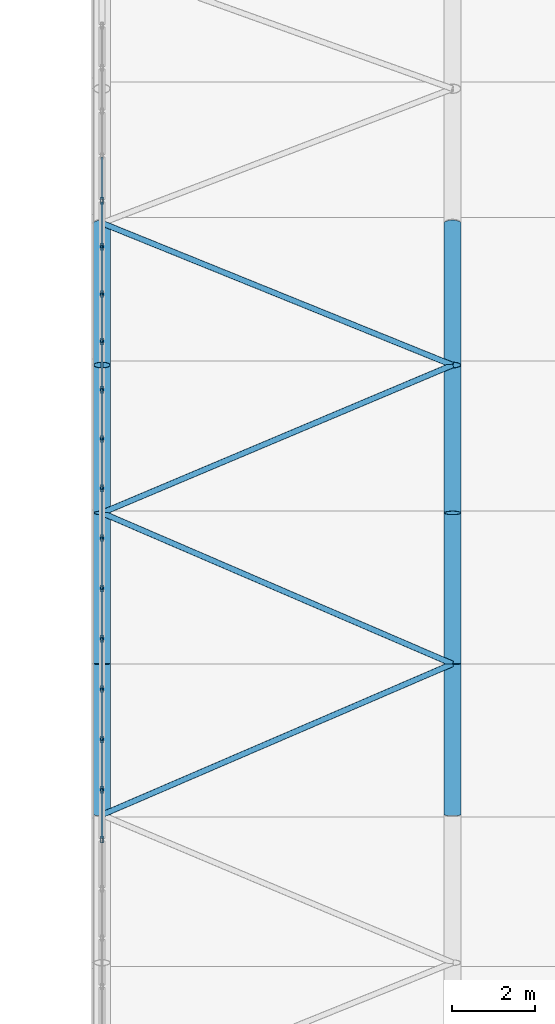
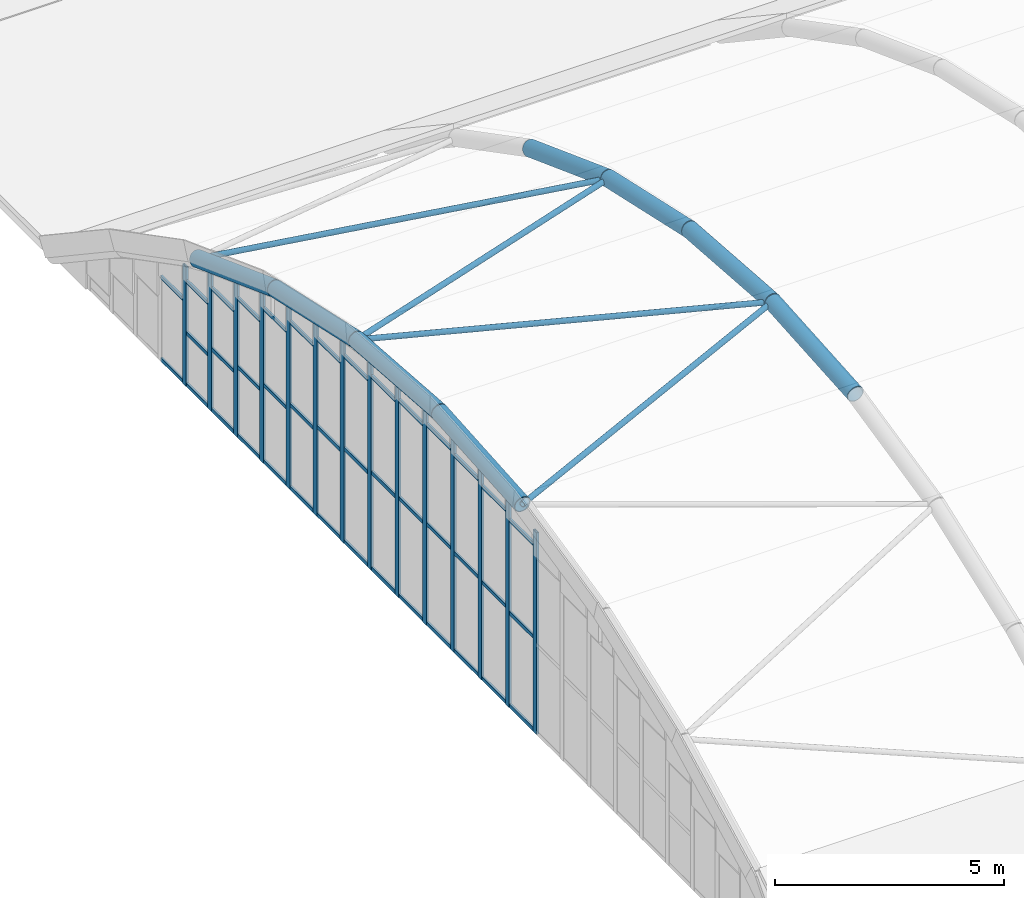
# One storey, part 9 of 77: 67 members, 1 element without a shape of its own.
"""IFC4 building model written with IfcOpenShell, lengths in metres."""

from ifc_helpers import new_model, si_unit, direction, frame, origin, origin_2d, place, context, subcontext, project, spatial, hollow_rectangle, hollow_circle, extrude, material, material_profile, profile_set, type_object, element, aggregate, save


model = new_model("IFC4")

# Units and contexts
model_context = context("Model", 3, precision=1e-05, world=origin(), true_north=direction((0.0, 1.0)))
body_context = subcontext(model_context, "Body", "Model", "MODEL_VIEW")
ifc_project = project(units=[si_unit("LENGTHUNIT", "METRE"), si_unit("AREAUNIT", "SQUARE_METRE"), si_unit("VOLUMEUNIT", "CUBIC_METRE"), si_unit("PLANEANGLEUNIT", "RADIAN"), si_unit("MASSUNIT", "GRAM", prefix="KILO")], contexts=[model_context])

# Site, building, storey
site_placement = place(None, origin())
site = spatial("IfcSite", under=ifc_project, at=site_placement, CompositionType="ELEMENT")
building_placement = place(site_placement, origin())
building = spatial("IfcBuilding", under=site, at=building_placement, Name="Catenary Quay Ferry Terminal", CompositionType="ELEMENT")
storey_placement = place(building_placement, frame((0.0, 0.0, 10.800048828125)))
storey = spatial("IfcBuildingStorey", under=building, at=storey_placement, Name="L02", CompositionType="ELEMENT", Elevation=10.800048828125)

# Members
ifc_material_1 = material(Name="Steel S355", Category="steel")
ifc_material_profile_1 = material_profile(ifc_material_1, hollow_circle(Radius=0.06982421875, WallThickness=0.008056640625, at=origin_2d()), Name="CHS 139.7x8")
ifc_profile_set_1 = profile_set([ifc_material_profile_1], Name="Steel S355")
member_type_1 = type_object("IfcMemberType", Name="BR1 CHS 139.7x8", PredefinedType="BRACE", material=ifc_profile_set_1)
for number, where, z_axis, x_axis, name in (
    (1, (25.199951171875, 80.382080078125, 5.73193359375), (0.918042408193, 0.395398333101, 0.029296671148), (-0.395568126603, 0.918436637562, 0.0), "Roof brace BR-VA-01-05"),
    (2, (33.60009765625, 84.0, 6.0), (-0.918042408193, 0.395398333101, -0.029296671148), (-0.395568126603, -0.918436637562, 0.0), "Roof brace BR-VA-01-06"),
    (3, (25.199951171875, 87.617919921875, 5.73193359375), (0.918022334986, 0.387091813758, -0.085993721791), (-0.388531057549, 0.921435628419, 0.0), "Roof brace BR-VA-01-07"),
):
    element("IfcMember", number, at=place(storey_placement, frame(where, z_axis=z_axis, x_axis=x_axis)), inside=storey, type_object=member_type_1, Name=name, PredefinedType="BRACE", context=body_context, shape_type="SweptSolid", body=[
        extrude(hollow_circle(Radius=0.06982421875, WallThickness=0.008056640625, at=origin_2d()), origin(), (0.0, 0.0, 1.0), 9.150146484375),
    ])
member_1_placement = place(storey_placement, frame((33.60009765625, 91.159912109375, 4.945068359375), z_axis=(-0.918021685377, 0.371803184984, -0.137835324982), x_axis=(-0.375386186218, -0.926868497251, 0.0)))
element("IfcMember", 4, at=member_1_placement, inside=storey, type_object=member_type_1, Name="Roof brace BR-VA-01-08", PredefinedType="BRACE", context=body_context, shape_type="SweptSolid", body=[
    extrude(hollow_circle(Radius=0.06982421875, WallThickness=0.008056640625, at=origin_2d()), origin(), (0.0, 0.0, 1.0), 9.150390625),
])

# Curtain wall, members
ifc_material_2 = material(Name="Aluminium and glass", Category="aluminium")
curtain_wall_type = type_object("IfcCurtainWallType", Name="CWA", PredefinedType="NOTDEFINED", material=ifc_material_2)
curtain_wall_placement = place(storey_placement, origin())
curtain_wall = element("IfcCurtainWall", 5, at=curtain_wall_placement, inside=storey, type_object=curtain_wall_type, Name="Arch arrivals hall curtain wall CW5", PredefinedType="NOTDEFINED")
ifc_material_3 = material(Name="Aluminium", Category="aluminium")
ifc_material_profile_2 = material_profile(ifc_material_3, hollow_rectangle(XDim=0.06005859375, YDim=0.159912109375, WallThickness=0.006103515625, at=origin_2d()), Name="MU5")
ifc_profile_set_2 = profile_set([ifc_material_profile_2], Name="Aluminium")
member_type_2 = type_object("IfcMemberType", Name="MU5", PredefinedType="MULLION", material=ifc_profile_set_2)
member_2_placement = place(storey_placement, frame((25.199951171875, 79.791748046875, 0.0), z_axis=(0.0, 0.0, 1.0), x_axis=(-1.0, 0.0, 0.0)))
member_2 = element("IfcMember", 6, at=member_2_placement, type_object=member_type_2, Name="CW5 mullion 11", PredefinedType="MULLION", context=body_context, shape_type="SweptSolid", body=[
    extrude(hollow_rectangle(XDim=0.06005859375, YDim=0.159912109375, WallThickness=0.006103515625, at=origin_2d()), origin(), (0.0, 0.0, 1.0), 5.380859375),
])
member_3_placement = place(storey_placement, frame((25.199951171875, 80.985107421875, 0.0), z_axis=(0.0, 0.0, 1.0), x_axis=(-1.0, 0.0, 0.0)))
member_3 = element("IfcMember", 7, at=member_3_placement, type_object=member_type_2, Name="CW5 mullion 12", PredefinedType="MULLION", context=body_context, shape_type="SweptSolid", body=[
    extrude(hollow_rectangle(XDim=0.06005859375, YDim=0.159912109375, WallThickness=0.006103515625, at=origin_2d()), origin(), (0.0, 0.0, 1.0), 5.556640625),
])
member_4_placement = place(storey_placement, frame((25.199951171875, 82.19091796875, 0.0), z_axis=(0.0, 0.0, 1.0), x_axis=(-1.0, 0.0, 0.0)))
member_4 = element("IfcMember", 8, at=member_4_placement, type_object=member_type_2, Name="CW5 mullion 13", PredefinedType="MULLION", context=body_context, shape_type="SweptSolid", body=[
    extrude(hollow_rectangle(XDim=0.06005859375, YDim=0.159912109375, WallThickness=0.006103515625, at=origin_2d()), origin(), (0.0, 0.0, 1.0), 5.64599609375),
])
member_5_placement = place(storey_placement, frame((25.199951171875, 83.39697265625, 0.0), z_axis=(0.0, 0.0, 1.0), x_axis=(-1.0, 0.0, 0.0)))
member_5 = element("IfcMember", 9, at=member_5_placement, type_object=member_type_2, Name="CW5 mullion 14", PredefinedType="MULLION", context=body_context, shape_type="SweptSolid", body=[
    extrude(hollow_rectangle(XDim=0.06005859375, YDim=0.159912109375, WallThickness=0.006103515625, at=origin_2d()), origin(), (0.0, 0.0, 1.0), 5.7353515625),
])
member_6_placement = place(storey_placement, frame((25.199951171875, 84.60302734375, 0.0), z_axis=(0.0, 0.0, 1.0), x_axis=(-1.0, 0.0, 0.0)))
member_6 = element("IfcMember", 10, at=member_6_placement, type_object=member_type_2, Name="CW5 mullion 15", PredefinedType="MULLION", context=body_context, shape_type="SweptSolid", body=[
    extrude(hollow_rectangle(XDim=0.06005859375, YDim=0.159912109375, WallThickness=0.006103515625, at=origin_2d()), origin(), (0.0, 0.0, 1.0), 5.7353515625),
])
member_7_placement = place(storey_placement, frame((25.199951171875, 85.80908203125, 0.0), z_axis=(0.0, 0.0, 1.0), x_axis=(-1.0, 0.0, 0.0)))
member_7 = element("IfcMember", 11, at=member_7_placement, type_object=member_type_2, Name="CW5 mullion 16", PredefinedType="MULLION", context=body_context, shape_type="SweptSolid", body=[
    extrude(hollow_rectangle(XDim=0.06005859375, YDim=0.159912109375, WallThickness=0.006103515625, at=origin_2d()), origin(), (0.0, 0.0, 1.0), 5.64599609375),
])
member_8_placement = place(storey_placement, frame((25.199951171875, 87.014892578125, 0.0), z_axis=(0.0, 0.0, 1.0), x_axis=(-1.0, 0.0, 0.0)))
member_8 = element("IfcMember", 12, at=member_8_placement, type_object=member_type_2, Name="CW5 mullion 17", PredefinedType="MULLION", context=body_context, shape_type="SweptSolid", body=[
    extrude(hollow_rectangle(XDim=0.06005859375, YDim=0.159912109375, WallThickness=0.006103515625, at=origin_2d()), origin(), (0.0, 0.0, 1.0), 5.556640625),
])
member_9_placement = place(storey_placement, frame((25.199951171875, 88.208251953125, 0.0), z_axis=(0.0, 0.0, 1.0), x_axis=(-1.0, 0.0, 0.0)))
member_9 = element("IfcMember", 13, at=member_9_placement, type_object=member_type_2, Name="CW5 mullion 18", PredefinedType="MULLION", context=body_context, shape_type="SweptSolid", body=[
    extrude(hollow_rectangle(XDim=0.06005859375, YDim=0.159912109375, WallThickness=0.006103515625, at=origin_2d()), origin(), (0.0, 0.0, 1.0), 5.380859375),
])
member_10_placement = place(storey_placement, frame((25.199951171875, 89.388916015625, 0.0), z_axis=(0.0, 0.0, 1.0), x_axis=(-1.0, 0.0, 0.0)))
member_10 = element("IfcMember", 14, at=member_10_placement, type_object=member_type_2, Name="CW5 mullion 19", PredefinedType="MULLION", context=body_context, shape_type="SweptSolid", body=[
    extrude(hollow_rectangle(XDim=0.06005859375, YDim=0.159912109375, WallThickness=0.006103515625, at=origin_2d()), origin(), (0.0, 0.0, 1.0), 5.118408203125),
])
member_11_placement = place(storey_placement, frame((25.199951171875, 90.569580078125, 0.0), z_axis=(0.0, 0.0, 1.0), x_axis=(-1.0, 0.0, 0.0)))
member_11 = element("IfcMember", 15, at=member_11_placement, type_object=member_type_2, Name="CW5 mullion 20", PredefinedType="MULLION", context=body_context, shape_type="SweptSolid", body=[
    extrude(hollow_rectangle(XDim=0.06005859375, YDim=0.159912109375, WallThickness=0.006103515625, at=origin_2d()), origin(), (0.0, 0.0, 1.0), 4.856201171875),
])
member_12_placement = place(storey_placement, frame((25.199951171875, 91.72705078125, 0.0), z_axis=(0.0, 0.0, 1.0), x_axis=(-1.0, 0.0, 0.0)))
member_12 = element("IfcMember", 16, at=member_12_placement, type_object=member_type_2, Name="CW5 mullion 21", PredefinedType="MULLION", context=body_context, shape_type="SweptSolid", body=[
    extrude(hollow_rectangle(XDim=0.06005859375, YDim=0.159912109375, WallThickness=0.006103515625, at=origin_2d()), origin(), (0.0, 0.0, 1.0), 4.514892578125),
])
member_13_placement = place(storey_placement, frame((25.199951171875, 92.861083984375, 0.0), z_axis=(0.0, 0.0, 1.0), x_axis=(-1.0, 0.0, 0.0)))
member_13 = element("IfcMember", 17, at=member_13_placement, type_object=member_type_2, Name="CW5 mullion 22", PredefinedType="MULLION", context=body_context, shape_type="SweptSolid", body=[
    extrude(hollow_rectangle(XDim=0.06005859375, YDim=0.159912109375, WallThickness=0.006103515625, at=origin_2d()), origin(), (0.0, 0.0, 1.0), 4.094482421875),
])
member_14_placement = place(storey_placement, frame((25.199951171875, 93.9951171875, 0.0), z_axis=(0.0, 0.0, 1.0), x_axis=(-1.0, 0.0, 0.0)))
member_14 = element("IfcMember", 18, at=member_14_placement, type_object=member_type_2, Name="CW5 mullion 23", PredefinedType="MULLION", context=body_context, shape_type="SweptSolid", body=[
    extrude(hollow_rectangle(XDim=0.06005859375, YDim=0.159912109375, WallThickness=0.006103515625, at=origin_2d()), origin(), (0.0, 0.0, 1.0), 3.674072265625),
])
member_15_placement = place(storey_placement, frame((25.199951171875, 95.0986328125, 0.0), z_axis=(0.0, 0.0, 1.0), x_axis=(-1.0, 0.0, 0.0)))
member_15 = element("IfcMember", 19, at=member_15_placement, type_object=member_type_2, Name="CW5 mullion 24", PredefinedType="MULLION", context=body_context, shape_type="SweptSolid", body=[
    extrude(hollow_rectangle(XDim=0.06005859375, YDim=0.159912109375, WallThickness=0.006103515625, at=origin_2d()), origin(), (0.0, 0.0, 1.0), 3.185546875),
])
ifc_material_4 = material(Name="Aluminium", Category="aluminium")
ifc_material_profile_3 = material_profile(ifc_material_4, hollow_rectangle(XDim=0.050048828125, YDim=0.10009765625, WallThickness=0.00390625, at=origin_2d()), Name="TR4")
ifc_profile_set_3 = profile_set([ifc_material_profile_3], Name="Aluminium")
member_type_3 = type_object("IfcMemberType", Name="TR4", PredefinedType="USERDEFINED", material=ifc_profile_set_3)
member_16_placement = place(storey_placement, frame((25.199951171875, 79.82177734375, 0.050048828125), z_axis=(0.0, 1.0, 0.0), x_axis=(-1.0, 0.0, 0.0)))
member_16 = element("IfcMember", 20, at=member_16_placement, type_object=member_type_3, Name="CW5 transom 11.1", ObjectType="TRANSOM", PredefinedType="USERDEFINED", context=body_context, shape_type="SweptSolid", body=[
    extrude(hollow_rectangle(XDim=0.050048828125, YDim=0.10009765625, WallThickness=0.00390625, at=origin_2d()), origin(), (0.0, 0.0, 1.0), 1.13330078125),
])
member_17_placement = place(storey_placement, frame((25.199951171875, 79.82177734375, 2.520263671875), z_axis=(0.0, 1.0, 0.0), x_axis=(-1.0, 0.0, 0.0)))
member_17 = element("IfcMember", 21, at=member_17_placement, type_object=member_type_3, Name="CW5 transom 11.2", ObjectType="TRANSOM", PredefinedType="USERDEFINED", context=body_context, shape_type="SweptSolid", body=[
    extrude(hollow_rectangle(XDim=0.050048828125, YDim=0.10009765625, WallThickness=0.00390625, at=origin_2d()), origin(), (0.0, 0.0, 1.0), 1.13330078125),
])
member_18_placement = place(storey_placement, frame((25.199951171875, 79.82177734375, 4.99072265625), z_axis=(0.0, 1.0, 0.0), x_axis=(-1.0, 0.0, 0.0)))
member_18 = element("IfcMember", 22, at=member_18_placement, type_object=member_type_3, Name="CW5 transom 11.3", ObjectType="TRANSOM", PredefinedType="USERDEFINED", context=body_context, shape_type="SweptSolid", body=[
    extrude(hollow_rectangle(XDim=0.050048828125, YDim=0.10009765625, WallThickness=0.00390625, at=origin_2d()), origin(), (0.0, 0.0, 1.0), 1.13330078125),
])
member_19_placement = place(storey_placement, frame((25.199951171875, 81.014892578125, 0.050048828125), z_axis=(0.0, 1.0, 0.0), x_axis=(-1.0, 0.0, 0.0)))
member_19 = element("IfcMember", 23, at=member_19_placement, type_object=member_type_3, Name="CW5 transom 12.1", ObjectType="TRANSOM", PredefinedType="USERDEFINED", context=body_context, shape_type="SweptSolid", body=[
    extrude(hollow_rectangle(XDim=0.050048828125, YDim=0.10009765625, WallThickness=0.00390625, at=origin_2d()), origin(), (0.0, 0.0, 1.0), 1.14599609375),
])
member_20_placement = place(storey_placement, frame((25.199951171875, 81.014892578125, 2.6083984375), z_axis=(0.0, 1.0, 0.0), x_axis=(-1.0, 0.0, 0.0)))
member_20 = element("IfcMember", 24, at=member_20_placement, type_object=member_type_3, Name="CW5 transom 12.2", ObjectType="TRANSOM", PredefinedType="USERDEFINED", context=body_context, shape_type="SweptSolid", body=[
    extrude(hollow_rectangle(XDim=0.050048828125, YDim=0.10009765625, WallThickness=0.00390625, at=origin_2d()), origin(), (0.0, 0.0, 1.0), 1.14599609375),
])
member_21_placement = place(storey_placement, frame((25.199951171875, 81.014892578125, 5.16650390625), z_axis=(0.0, 1.0, 0.0), x_axis=(-1.0, 0.0, 0.0)))
member_21 = element("IfcMember", 25, at=member_21_placement, type_object=member_type_3, Name="CW5 transom 12.3", ObjectType="TRANSOM", PredefinedType="USERDEFINED", context=body_context, shape_type="SweptSolid", body=[
    extrude(hollow_rectangle(XDim=0.050048828125, YDim=0.10009765625, WallThickness=0.00390625, at=origin_2d()), origin(), (0.0, 0.0, 1.0), 1.14599609375),
])
member_22_placement = place(storey_placement, frame((25.199951171875, 82.220947265625, 0.050048828125), z_axis=(0.0, 1.0, 0.0), x_axis=(-1.0, 0.0, 0.0)))
member_22 = element("IfcMember", 26, at=member_22_placement, type_object=member_type_3, Name="CW5 transom 13.1", ObjectType="TRANSOM", PredefinedType="USERDEFINED", context=body_context, shape_type="SweptSolid", body=[
    extrude(hollow_rectangle(XDim=0.050048828125, YDim=0.10009765625, WallThickness=0.00390625, at=origin_2d()), origin(), (0.0, 0.0, 1.0), 1.14599609375),
])
member_23_placement = place(storey_placement, frame((25.199951171875, 82.220947265625, 2.65283203125), z_axis=(0.0, 1.0, 0.0), x_axis=(-1.0, 0.0, 0.0)))
member_23 = element("IfcMember", 27, at=member_23_placement, type_object=member_type_3, Name="CW5 transom 13.2", ObjectType="TRANSOM", PredefinedType="USERDEFINED", context=body_context, shape_type="SweptSolid", body=[
    extrude(hollow_rectangle(XDim=0.050048828125, YDim=0.10009765625, WallThickness=0.00390625, at=origin_2d()), origin(), (0.0, 0.0, 1.0), 1.14599609375),
])
member_24_placement = place(storey_placement, frame((25.199951171875, 82.220947265625, 5.255859375), z_axis=(0.0, 1.0, 0.0), x_axis=(-1.0, 0.0, 0.0)))
member_24 = element("IfcMember", 28, at=member_24_placement, type_object=member_type_3, Name="CW5 transom 13.3", ObjectType="TRANSOM", PredefinedType="USERDEFINED", context=body_context, shape_type="SweptSolid", body=[
    extrude(hollow_rectangle(XDim=0.050048828125, YDim=0.10009765625, WallThickness=0.00390625, at=origin_2d()), origin(), (0.0, 0.0, 1.0), 1.14599609375),
])
member_25_placement = place(storey_placement, frame((25.199951171875, 83.427001953125, 0.050048828125), z_axis=(0.0, 1.0, 0.0), x_axis=(-1.0, 0.0, 0.0)))
member_25 = element("IfcMember", 29, at=member_25_placement, type_object=member_type_3, Name="CW5 transom 14.1", ObjectType="TRANSOM", PredefinedType="USERDEFINED", context=body_context, shape_type="SweptSolid", body=[
    extrude(hollow_rectangle(XDim=0.050048828125, YDim=0.10009765625, WallThickness=0.00390625, at=origin_2d()), origin(), (0.0, 0.0, 1.0), 1.14599609375),
])
member_26_placement = place(storey_placement, frame((25.199951171875, 83.427001953125, 2.697509765625), z_axis=(0.0, 1.0, 0.0), x_axis=(-1.0, 0.0, 0.0)))
member_26 = element("IfcMember", 30, at=member_26_placement, type_object=member_type_3, Name="CW5 transom 14.2", ObjectType="TRANSOM", PredefinedType="USERDEFINED", context=body_context, shape_type="SweptSolid", body=[
    extrude(hollow_rectangle(XDim=0.050048828125, YDim=0.10009765625, WallThickness=0.00390625, at=origin_2d()), origin(), (0.0, 0.0, 1.0), 1.14599609375),
])
member_27_placement = place(storey_placement, frame((25.199951171875, 83.427001953125, 5.34521484375), z_axis=(0.0, 1.0, 0.0), x_axis=(-1.0, 0.0, 0.0)))
member_27 = element("IfcMember", 31, at=member_27_placement, type_object=member_type_3, Name="CW5 transom 14.3", ObjectType="TRANSOM", PredefinedType="USERDEFINED", context=body_context, shape_type="SweptSolid", body=[
    extrude(hollow_rectangle(XDim=0.050048828125, YDim=0.10009765625, WallThickness=0.00390625, at=origin_2d()), origin(), (0.0, 0.0, 1.0), 1.14599609375),
])
member_28_placement = place(storey_placement, frame((25.199951171875, 84.633056640625, 0.050048828125), z_axis=(0.0, 1.0, 0.0), x_axis=(-1.0, 0.0, 0.0)))
member_28 = element("IfcMember", 32, at=member_28_placement, type_object=member_type_3, Name="CW5 transom 15.1", ObjectType="TRANSOM", PredefinedType="USERDEFINED", context=body_context, shape_type="SweptSolid", body=[
    extrude(hollow_rectangle(XDim=0.050048828125, YDim=0.10009765625, WallThickness=0.00390625, at=origin_2d()), origin(), (0.0, 0.0, 1.0), 1.14599609375),
])
member_29_placement = place(storey_placement, frame((25.199951171875, 84.633056640625, 2.65283203125), z_axis=(0.0, 1.0, 0.0), x_axis=(-1.0, 0.0, 0.0)))
member_29 = element("IfcMember", 33, at=member_29_placement, type_object=member_type_3, Name="CW5 transom 15.2", ObjectType="TRANSOM", PredefinedType="USERDEFINED", context=body_context, shape_type="SweptSolid", body=[
    extrude(hollow_rectangle(XDim=0.050048828125, YDim=0.10009765625, WallThickness=0.00390625, at=origin_2d()), origin(), (0.0, 0.0, 1.0), 1.14599609375),
])
member_30_placement = place(storey_placement, frame((25.199951171875, 84.633056640625, 5.255859375), z_axis=(0.0, 1.0, 0.0), x_axis=(-1.0, 0.0, 0.0)))
member_30 = element("IfcMember", 34, at=member_30_placement, type_object=member_type_3, Name="CW5 transom 15.3", ObjectType="TRANSOM", PredefinedType="USERDEFINED", context=body_context, shape_type="SweptSolid", body=[
    extrude(hollow_rectangle(XDim=0.050048828125, YDim=0.10009765625, WallThickness=0.00390625, at=origin_2d()), origin(), (0.0, 0.0, 1.0), 1.14599609375),
])
member_31_placement = place(storey_placement, frame((25.199951171875, 85.839111328125, 0.050048828125), z_axis=(0.0, 1.0, 0.0), x_axis=(-1.0, 0.0, 0.0)))
member_31 = element("IfcMember", 35, at=member_31_placement, type_object=member_type_3, Name="CW5 transom 16.1", ObjectType="TRANSOM", PredefinedType="USERDEFINED", context=body_context, shape_type="SweptSolid", body=[
    extrude(hollow_rectangle(XDim=0.050048828125, YDim=0.10009765625, WallThickness=0.00390625, at=origin_2d()), origin(), (0.0, 0.0, 1.0), 1.14599609375),
])
member_32_placement = place(storey_placement, frame((25.199951171875, 85.839111328125, 2.6083984375), z_axis=(0.0, 1.0, 0.0), x_axis=(-1.0, 0.0, 0.0)))
member_32 = element("IfcMember", 36, at=member_32_placement, type_object=member_type_3, Name="CW5 transom 16.2", ObjectType="TRANSOM", PredefinedType="USERDEFINED", context=body_context, shape_type="SweptSolid", body=[
    extrude(hollow_rectangle(XDim=0.050048828125, YDim=0.10009765625, WallThickness=0.00390625, at=origin_2d()), origin(), (0.0, 0.0, 1.0), 1.14599609375),
])
member_33_placement = place(storey_placement, frame((25.199951171875, 85.839111328125, 5.16650390625), z_axis=(0.0, 1.0, 0.0), x_axis=(-1.0, 0.0, 0.0)))
member_33 = element("IfcMember", 37, at=member_33_placement, type_object=member_type_3, Name="CW5 transom 16.3", ObjectType="TRANSOM", PredefinedType="USERDEFINED", context=body_context, shape_type="SweptSolid", body=[
    extrude(hollow_rectangle(XDim=0.050048828125, YDim=0.10009765625, WallThickness=0.00390625, at=origin_2d()), origin(), (0.0, 0.0, 1.0), 1.14599609375),
])
member_34_placement = place(storey_placement, frame((25.199951171875, 87.044921875, 0.050048828125), z_axis=(0.0, 1.0, 0.0), x_axis=(-1.0, 0.0, 0.0)))
member_34 = element("IfcMember", 38, at=member_34_placement, type_object=member_type_3, Name="CW5 transom 17.1", ObjectType="TRANSOM", PredefinedType="USERDEFINED", context=body_context, shape_type="SweptSolid", body=[
    extrude(hollow_rectangle(XDim=0.050048828125, YDim=0.10009765625, WallThickness=0.00390625, at=origin_2d()), origin(), (0.0, 0.0, 1.0), 1.13330078125),
])
member_35_placement = place(storey_placement, frame((25.199951171875, 87.044921875, 2.520263671875), z_axis=(0.0, 1.0, 0.0), x_axis=(-1.0, 0.0, 0.0)))
member_35 = element("IfcMember", 39, at=member_35_placement, type_object=member_type_3, Name="CW5 transom 17.2", ObjectType="TRANSOM", PredefinedType="USERDEFINED", context=body_context, shape_type="SweptSolid", body=[
    extrude(hollow_rectangle(XDim=0.050048828125, YDim=0.10009765625, WallThickness=0.00390625, at=origin_2d()), origin(), (0.0, 0.0, 1.0), 1.13330078125),
])
member_36_placement = place(storey_placement, frame((25.199951171875, 87.044921875, 4.99072265625), z_axis=(0.0, 1.0, 0.0), x_axis=(-1.0, 0.0, 0.0)))
member_36 = element("IfcMember", 40, at=member_36_placement, type_object=member_type_3, Name="CW5 transom 17.3", ObjectType="TRANSOM", PredefinedType="USERDEFINED", context=body_context, shape_type="SweptSolid", body=[
    extrude(hollow_rectangle(XDim=0.050048828125, YDim=0.10009765625, WallThickness=0.00390625, at=origin_2d()), origin(), (0.0, 0.0, 1.0), 1.13330078125),
])
member_37_placement = place(storey_placement, frame((25.199951171875, 88.23828125, 0.050048828125), z_axis=(0.0, 1.0, 0.0), x_axis=(-1.0, 0.0, 0.0)))
member_37 = element("IfcMember", 41, at=member_37_placement, type_object=member_type_3, Name="CW5 transom 18.1", ObjectType="TRANSOM", PredefinedType="USERDEFINED", context=body_context, shape_type="SweptSolid", body=[
    extrude(hollow_rectangle(XDim=0.050048828125, YDim=0.10009765625, WallThickness=0.00390625, at=origin_2d()), origin(), (0.0, 0.0, 1.0), 1.12060546875),
])
member_38_placement = place(storey_placement, frame((25.199951171875, 88.23828125, 2.38916015625), z_axis=(0.0, 1.0, 0.0), x_axis=(-1.0, 0.0, 0.0)))
member_38 = element("IfcMember", 42, at=member_38_placement, type_object=member_type_3, Name="CW5 transom 18.2", ObjectType="TRANSOM", PredefinedType="USERDEFINED", context=body_context, shape_type="SweptSolid", body=[
    extrude(hollow_rectangle(XDim=0.050048828125, YDim=0.10009765625, WallThickness=0.00390625, at=origin_2d()), origin(), (0.0, 0.0, 1.0), 1.12060546875),
])
member_39_placement = place(storey_placement, frame((25.199951171875, 88.23828125, 4.728515625), z_axis=(0.0, 1.0, 0.0), x_axis=(-1.0, 0.0, 0.0)))
member_39 = element("IfcMember", 43, at=member_39_placement, type_object=member_type_3, Name="CW5 transom 18.3", ObjectType="TRANSOM", PredefinedType="USERDEFINED", context=body_context, shape_type="SweptSolid", body=[
    extrude(hollow_rectangle(XDim=0.050048828125, YDim=0.10009765625, WallThickness=0.00390625, at=origin_2d()), origin(), (0.0, 0.0, 1.0), 1.12060546875),
])
member_40_placement = place(storey_placement, frame((25.199951171875, 89.4189453125, 0.050048828125), z_axis=(0.0, 1.0, 0.0), x_axis=(-1.0, 0.0, 0.0)))
member_40 = element("IfcMember", 44, at=member_40_placement, type_object=member_type_3, Name="CW5 transom 19.1", ObjectType="TRANSOM", PredefinedType="USERDEFINED", context=body_context, shape_type="SweptSolid", body=[
    extrude(hollow_rectangle(XDim=0.050048828125, YDim=0.10009765625, WallThickness=0.00390625, at=origin_2d()), origin(), (0.0, 0.0, 1.0), 1.12060546875),
])
member_41_placement = place(storey_placement, frame((25.199951171875, 89.4189453125, 2.258056640625), z_axis=(0.0, 1.0, 0.0), x_axis=(-1.0, 0.0, 0.0)))
member_41 = element("IfcMember", 45, at=member_41_placement, type_object=member_type_3, Name="CW5 transom 19.2", ObjectType="TRANSOM", PredefinedType="USERDEFINED", context=body_context, shape_type="SweptSolid", body=[
    extrude(hollow_rectangle(XDim=0.050048828125, YDim=0.10009765625, WallThickness=0.00390625, at=origin_2d()), origin(), (0.0, 0.0, 1.0), 1.12060546875),
])
member_42_placement = place(storey_placement, frame((25.199951171875, 89.4189453125, 4.466064453125), z_axis=(0.0, 1.0, 0.0), x_axis=(-1.0, 0.0, 0.0)))
member_42 = element("IfcMember", 46, at=member_42_placement, type_object=member_type_3, Name="CW5 transom 19.3", ObjectType="TRANSOM", PredefinedType="USERDEFINED", context=body_context, shape_type="SweptSolid", body=[
    extrude(hollow_rectangle(XDim=0.050048828125, YDim=0.10009765625, WallThickness=0.00390625, at=origin_2d()), origin(), (0.0, 0.0, 1.0), 1.12060546875),
])
member_43_placement = place(storey_placement, frame((25.199951171875, 90.599609375, 0.050048828125), z_axis=(0.0, 1.0, 0.0), x_axis=(-1.0, 0.0, 0.0)))
member_43 = element("IfcMember", 47, at=member_43_placement, type_object=member_type_3, Name="CW5 transom 20.1", ObjectType="TRANSOM", PredefinedType="USERDEFINED", context=body_context, shape_type="SweptSolid", body=[
    extrude(hollow_rectangle(XDim=0.050048828125, YDim=0.10009765625, WallThickness=0.00390625, at=origin_2d()), origin(), (0.0, 0.0, 1.0), 1.097412109375),
])
member_44_placement = place(storey_placement, frame((25.199951171875, 90.599609375, 2.08740234375), z_axis=(0.0, 1.0, 0.0), x_axis=(-1.0, 0.0, 0.0)))
member_44 = element("IfcMember", 48, at=member_44_placement, type_object=member_type_3, Name="CW5 transom 20.2", ObjectType="TRANSOM", PredefinedType="USERDEFINED", context=body_context, shape_type="SweptSolid", body=[
    extrude(hollow_rectangle(XDim=0.050048828125, YDim=0.10009765625, WallThickness=0.00390625, at=origin_2d()), origin(), (0.0, 0.0, 1.0), 1.097412109375),
])
member_45_placement = place(storey_placement, frame((25.199951171875, 90.599609375, 4.124755859375), z_axis=(0.0, 1.0, 0.0), x_axis=(-1.0, 0.0, 0.0)))
member_45 = element("IfcMember", 49, at=member_45_placement, type_object=member_type_3, Name="CW5 transom 20.3", ObjectType="TRANSOM", PredefinedType="USERDEFINED", context=body_context, shape_type="SweptSolid", body=[
    extrude(hollow_rectangle(XDim=0.050048828125, YDim=0.10009765625, WallThickness=0.00390625, at=origin_2d()), origin(), (0.0, 0.0, 1.0), 1.097412109375),
])
member_46_placement = place(storey_placement, frame((25.199951171875, 91.757080078125, 0.050048828125), z_axis=(0.0, 1.0, 0.0), x_axis=(-1.0, 0.0, 0.0)))
member_46 = element("IfcMember", 50, at=member_46_placement, type_object=member_type_3, Name="CW5 transom 21.1", ObjectType="TRANSOM", PredefinedType="USERDEFINED", context=body_context, shape_type="SweptSolid", body=[
    extrude(hollow_rectangle(XDim=0.050048828125, YDim=0.10009765625, WallThickness=0.00390625, at=origin_2d()), origin(), (0.0, 0.0, 1.0), 1.073974609375),
])
member_47_placement = place(storey_placement, frame((25.199951171875, 91.757080078125, 1.877197265625), z_axis=(0.0, 1.0, 0.0), x_axis=(-1.0, 0.0, 0.0)))
member_47 = element("IfcMember", 51, at=member_47_placement, type_object=member_type_3, Name="CW5 transom 21.2", ObjectType="TRANSOM", PredefinedType="USERDEFINED", context=body_context, shape_type="SweptSolid", body=[
    extrude(hollow_rectangle(XDim=0.050048828125, YDim=0.10009765625, WallThickness=0.00390625, at=origin_2d()), origin(), (0.0, 0.0, 1.0), 1.073974609375),
])
member_48_placement = place(storey_placement, frame((25.199951171875, 91.757080078125, 3.704345703125), z_axis=(0.0, 1.0, 0.0), x_axis=(-1.0, 0.0, 0.0)))
member_48 = element("IfcMember", 52, at=member_48_placement, type_object=member_type_3, Name="CW5 transom 21.3", ObjectType="TRANSOM", PredefinedType="USERDEFINED", context=body_context, shape_type="SweptSolid", body=[
    extrude(hollow_rectangle(XDim=0.050048828125, YDim=0.10009765625, WallThickness=0.00390625, at=origin_2d()), origin(), (0.0, 0.0, 1.0), 1.073974609375),
])
member_49_placement = place(storey_placement, frame((25.199951171875, 92.89111328125, 0.050048828125), z_axis=(0.0, 1.0, 0.0), x_axis=(-1.0, 0.0, 0.0)))
member_49 = element("IfcMember", 53, at=member_49_placement, type_object=member_type_3, Name="CW5 transom 22.1", ObjectType="TRANSOM", PredefinedType="USERDEFINED", context=body_context, shape_type="SweptSolid", body=[
    extrude(hollow_rectangle(XDim=0.050048828125, YDim=0.10009765625, WallThickness=0.00390625, at=origin_2d()), origin(), (0.0, 0.0, 1.0), 1.073974609375),
])
member_50_placement = place(storey_placement, frame((25.199951171875, 92.89111328125, 1.6669921875), z_axis=(0.0, 1.0, 0.0), x_axis=(-1.0, 0.0, 0.0)))
member_50 = element("IfcMember", 54, at=member_50_placement, type_object=member_type_3, Name="CW5 transom 22.2", ObjectType="TRANSOM", PredefinedType="USERDEFINED", context=body_context, shape_type="SweptSolid", body=[
    extrude(hollow_rectangle(XDim=0.050048828125, YDim=0.10009765625, WallThickness=0.00390625, at=origin_2d()), origin(), (0.0, 0.0, 1.0), 1.073974609375),
])
member_51_placement = place(storey_placement, frame((25.199951171875, 92.89111328125, 3.2841796875), z_axis=(0.0, 1.0, 0.0), x_axis=(-1.0, 0.0, 0.0)))
member_51 = element("IfcMember", 55, at=member_51_placement, type_object=member_type_3, Name="CW5 transom 22.3", ObjectType="TRANSOM", PredefinedType="USERDEFINED", context=body_context, shape_type="SweptSolid", body=[
    extrude(hollow_rectangle(XDim=0.050048828125, YDim=0.10009765625, WallThickness=0.00390625, at=origin_2d()), origin(), (0.0, 0.0, 1.0), 1.073974609375),
])
member_52_placement = place(storey_placement, frame((25.199951171875, 94.02490234375, 0.050048828125), z_axis=(0.0, 1.0, 0.0), x_axis=(-1.0, 0.0, 0.0)))
member_52 = element("IfcMember", 56, at=member_52_placement, type_object=member_type_3, Name="CW5 transom 23.1", ObjectType="TRANSOM", PredefinedType="USERDEFINED", context=body_context, shape_type="SweptSolid", body=[
    extrude(hollow_rectangle(XDim=0.050048828125, YDim=0.10009765625, WallThickness=0.00390625, at=origin_2d()), origin(), (0.0, 0.0, 1.0), 1.043701171875),
])
member_53_placement = place(storey_placement, frame((25.199951171875, 94.02490234375, 1.422607421875), z_axis=(0.0, 1.0, 0.0), x_axis=(-1.0, 0.0, 0.0)))
member_53 = element("IfcMember", 57, at=member_53_placement, type_object=member_type_3, Name="CW5 transom 23.2", ObjectType="TRANSOM", PredefinedType="USERDEFINED", context=body_context, shape_type="SweptSolid", body=[
    extrude(hollow_rectangle(XDim=0.050048828125, YDim=0.10009765625, WallThickness=0.00390625, at=origin_2d()), origin(), (0.0, 0.0, 1.0), 1.043701171875),
])
member_54_placement = place(storey_placement, frame((25.199951171875, 94.02490234375, 2.79541015625), z_axis=(0.0, 1.0, 0.0), x_axis=(-1.0, 0.0, 0.0)))
member_54 = element("IfcMember", 58, at=member_54_placement, type_object=member_type_3, Name="CW5 transom 23.3", ObjectType="TRANSOM", PredefinedType="USERDEFINED", context=body_context, shape_type="SweptSolid", body=[
    extrude(hollow_rectangle(XDim=0.050048828125, YDim=0.10009765625, WallThickness=0.00390625, at=origin_2d()), origin(), (0.0, 0.0, 1.0), 1.043701171875),
])
member_55_placement = place(storey_placement, frame((25.199951171875, 95.128662109375, 0.050048828125), z_axis=(0.0, 1.0, 0.0), x_axis=(-1.0, 0.0, 0.0)))
member_55 = element("IfcMember", 59, at=member_55_placement, type_object=member_type_3, Name="CW5 transom 24.1", ObjectType="TRANSOM", PredefinedType="USERDEFINED", context=body_context, shape_type="SweptSolid", body=[
    extrude(hollow_rectangle(XDim=0.050048828125, YDim=0.10009765625, WallThickness=0.00390625, at=origin_2d()), origin(), (0.0, 0.0, 1.0), 1.013427734375),
])
member_56_placement = place(storey_placement, frame((25.199951171875, 95.128662109375, 2.238525390625), z_axis=(0.0, 1.0, 0.0), x_axis=(-1.0, 0.0, 0.0)))
member_56 = element("IfcMember", 60, at=member_56_placement, type_object=member_type_3, Name="CW5 transom 24.2", ObjectType="TRANSOM", PredefinedType="USERDEFINED", context=body_context, shape_type="SweptSolid", body=[
    extrude(hollow_rectangle(XDim=0.050048828125, YDim=0.10009765625, WallThickness=0.00390625, at=origin_2d()), origin(), (0.0, 0.0, 1.0), 1.013427734375),
])
aggregate(curtain_wall, [member_2, member_3, member_4, member_5, member_6, member_7, member_8, member_9, member_10, member_11, member_12, member_13, member_14, member_15, member_16, member_17, member_18, member_19, member_20, member_21, member_22, member_23, member_24, member_25, member_26, member_27, member_28, member_29, member_30, member_31, member_32, member_33, member_34, member_35, member_36, member_37, member_38, member_39, member_40, member_41, member_42, member_43, member_44, member_45, member_46, member_47, member_48, member_49, member_50, member_51, member_52, member_53, member_54, member_55, member_56])

# Members
ifc_material_5 = material(Name="Steel S355", Category="steel")
ifc_material_profile_4 = material_profile(ifc_material_5, hollow_circle(Radius=0.203125, WallThickness=0.01611328125, at=origin_2d()), Name="CHS 406.4x16")
ifc_profile_set_4 = profile_set([ifc_material_profile_4], Name="Steel S355")
member_type_4 = type_object("IfcMemberType", Name="VR3 CHS 406.4x16", PredefinedType="RAFTER", material=ifc_profile_set_4)
for number, where, z_axis, x_axis, name in (
    (61, (25.199951171875, 80.382080078125, 5.73193359375), (0.0, 0.997266285305, 0.073891516382), (-1.0, 0.0, 0.0), "Vault rib VA-01-05"),
    (62, (25.199951171875, 84.0, 6.0), (0.0, 0.997266285305, -0.073891516382), (-1.0, 0.0, 0.0), "Vault rib VA-01-06"),
):
    element("IfcMember", number, at=place(storey_placement, frame(where, z_axis=z_axis, x_axis=x_axis)), inside=storey, type_object=member_type_4, Name=name, PredefinedType="RAFTER", context=body_context, shape_type="SweptSolid", body=[
        extrude(hollow_circle(Radius=0.203125, WallThickness=0.01611328125, at=origin_2d()), origin(), (0.0, 0.0, 1.0), 3.6279296875),
    ])
for number, where, z_axis, x_axis, name in (
    (63, (25.199951171875, 87.617919921875, 5.73193359375), (0.0, 0.976201307112, -0.216866336698), (-1.0, 0.0, 0.0), "Vault rib VA-01-07"),
    (64, (25.199951171875, 91.159912109375, 4.945068359375), (0.0, 0.937641576687, -0.347603615728), (-1.0, 0.0, 0.0), "Vault rib VA-01-08"),
):
    element("IfcMember", number, at=place(storey_placement, frame(where, z_axis=z_axis, x_axis=x_axis)), inside=storey, type_object=member_type_4, Name=name, PredefinedType="RAFTER", context=body_context, shape_type="SweptSolid", body=[
        extrude(hollow_circle(Radius=0.203125, WallThickness=0.01611328125, at=origin_2d()), origin(), (0.0, 0.0, 1.0), 3.62841796875),
    ])
for number, where, z_axis, x_axis, name in (
    (65, (33.60009765625, 80.382080078125, 5.73193359375), (0.0, 0.997266285305, 0.073891516382), (-1.0, 0.0, 0.0), "Vault rib VA-02-05"),
    (66, (33.60009765625, 84.0, 6.0), (0.0, 0.997266285305, -0.073891516382), (-1.0, 0.0, 0.0), "Vault rib VA-02-06"),
):
    element("IfcMember", number, at=place(storey_placement, frame(where, z_axis=z_axis, x_axis=x_axis)), inside=storey, type_object=member_type_4, Name=name, PredefinedType="RAFTER", context=body_context, shape_type="SweptSolid", body=[
        extrude(hollow_circle(Radius=0.203125, WallThickness=0.01611328125, at=origin_2d()), origin(), (0.0, 0.0, 1.0), 3.6279296875),
    ])
for number, where, z_axis, x_axis, name in (
    (67, (33.60009765625, 87.617919921875, 5.73193359375), (0.0, 0.976201307112, -0.216866336698), (-1.0, 0.0, 0.0), "Vault rib VA-02-07"),
    (68, (33.60009765625, 91.159912109375, 4.945068359375), (0.0, 0.937641576687, -0.347603615728), (-1.0, 0.0, 0.0), "Vault rib VA-02-08"),
):
    element("IfcMember", number, at=place(storey_placement, frame(where, z_axis=z_axis, x_axis=x_axis)), inside=storey, type_object=member_type_4, Name=name, PredefinedType="RAFTER", context=body_context, shape_type="SweptSolid", body=[
        extrude(hollow_circle(Radius=0.203125, WallThickness=0.01611328125, at=origin_2d()), origin(), (0.0, 0.0, 1.0), 3.62841796875),
    ])

save(model, "model.ifc")
